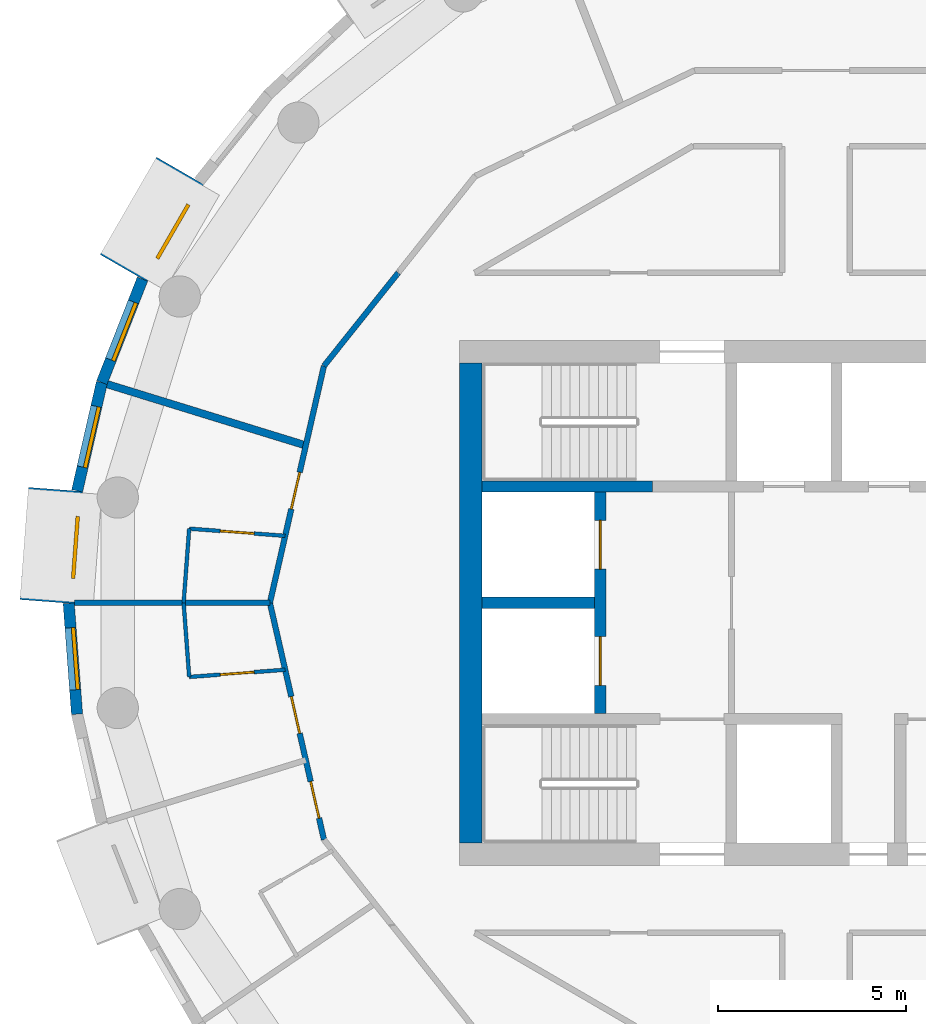
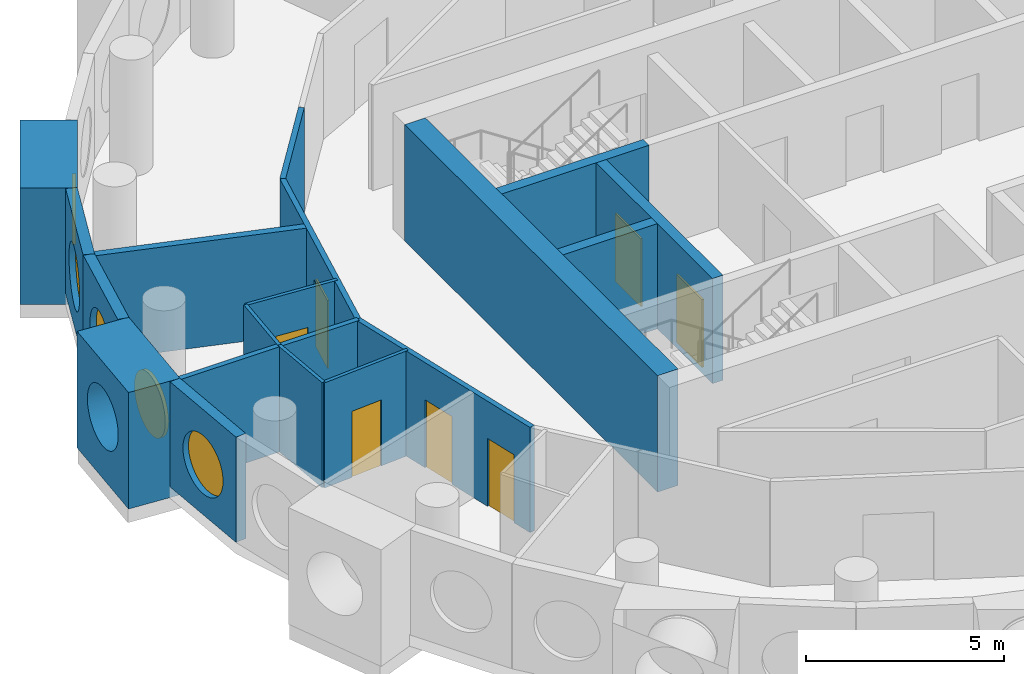
# One storey, part 6 of 12: 18 walls, 7 doors, 5 windows, 12 openings.
"""IFC4 building model written with IfcOpenShell, lengths in metres."""

from ifc_helpers import new_model, si_unit, direction, frame, frame_2d, origin, origin_2d, place, context, subcontext, project, spatial, rectangle, circle, extrude, material, layer, layer_set, type_object, element, fill, save


model = new_model("IFC4")

# Units and contexts
model_context = context("Model", 3, precision=1e-05, world=origin(), true_north=direction((0.0, 1.0)))
body_context = subcontext(model_context, "Body", "Model", "MODEL_VIEW")
ifc_project = project(units=[si_unit("LENGTHUNIT", "METRE"), si_unit("AREAUNIT", "SQUARE_METRE"), si_unit("VOLUMEUNIT", "CUBIC_METRE"), si_unit("PLANEANGLEUNIT", "RADIAN"), si_unit("MASSUNIT", "GRAM", prefix="KILO")], contexts=[model_context])

# Site, building, storey
site_placement = place(None, origin())
site = spatial("IfcSite", under=ifc_project, at=site_placement, CompositionType="ELEMENT")
building_placement = place(site_placement, origin())
building = spatial("IfcBuilding", under=site, at=building_placement, Name="Tracery Tower", CompositionType="ELEMENT")
storey_placement = place(building_placement, frame((0.0, 0.0, 234.60009765625)))
storey = spatial("IfcBuildingStorey", under=building, at=storey_placement, Name="L60", CompositionType="ELEMENT", Elevation=234.60009765625)

# Wall
ifc_material_1 = material(Name="Concrete C40/50", Category="concrete")
ifc_layer_1 = layer(ifc_material_1, 0.60009765625)
ifc_layer_set_1 = layer_set([ifc_layer_1], Name="Core wall 600 C40")
wall_type_1 = type_object("IfcWallType", Name="Core wall 600 C40", PredefinedType="SOLIDWALL", material=ifc_layer_set_1)
wall_1_placement = place(storey_placement, frame((-9.199951171875, -6.39990234375, 0.0), z_axis=(0.0, 0.0, 1.0), x_axis=(0.0, 1.0, 0.0)))
element("IfcWall", 1, at=wall_1_placement, inside=storey, type_object=wall_type_1, Name="L60 outer W", PredefinedType="SOLIDWALL", context=body_context, shape_type="SweptSolid", body=[
    extrude(rectangle(XDim=12.7998046875, YDim=0.60009765625, at=frame_2d((6.39990234375, 0.0))), origin(), (0.0, 0.0, 1.0), 3.599853515625),
])

# Wall, opening, window
ifc_material_2 = material(Name="Precast concrete C50/60", Category="concrete")
ifc_layer_2 = layer(ifc_material_2, 1.449951171875)
ifc_layer_set_2 = layer_set([ifc_layer_2], Name="Deep-set bay unit 3000 x 3600, slab edge 350")
wall_type_2 = type_object("IfcWallType", Name="Deep-set bay unit 3000 x 3600, slab edge 350", PredefinedType="ELEMENTEDWALL", material=ifc_layer_set_2)
wall_2_placement = place(storey_placement, frame((-16.952392578125, 11.51953125, -0.35009765625), z_axis=(0.0, 0.0, 1.0), x_axis=(-0.499990139034, -0.866031096941, 0.0)))
wall_2 = element("IfcWall", 2, at=wall_2_placement, inside=storey, type_object=wall_type_2, Name="Deep-set bay unit 18 at L60", PredefinedType="ELEMENTEDWALL", context=body_context, shape_type="SweptSolid", body=[
    extrude(rectangle(XDim=3.0, YDim=1.449951171875, at=frame_2d((1.5, 0.0))), origin(), (0.0, 0.0, 1.0), 3.60009765625),
])
opening_1_placement = place(wall_2_placement, frame((1.5, 0.0, 1.89990234375)))
opening_1 = element("IfcOpeningElement", 3, at=opening_1_placement, cuts=wall_2, Name="Opening WN1", PredefinedType="OPENING", context=body_context, shape_type="SweptSolid", body=[
    extrude(circle(Radius=0.9000244140625, at=origin_2d()), frame((0.0, 0.73486328125, 0.0), z_axis=(0.0, -1.0, 0.0), x_axis=(1.0, 0.0, 0.0)), (0.0, 0.0, 1.0), 1.469970703125),
])
ifc_material_3 = material(Name="Aluminium frame with tinted double glazing", Category="aluminium")
window_type = type_object("IfcWindowType", Name="Round window 1800", PartitioningType="SINGLE_PANEL", PredefinedType="WINDOW", material=ifc_material_3)
window_1_placement = place(opening_1_placement, origin())
window_1 = element("IfcWindow", 4, at=window_1_placement, inside=storey, type_object=window_type, Name="Round window 18 at L60", OverallHeight=1.800048828125, OverallWidth=1.800048828125, PartitioningType="SINGLE_PANEL", PredefinedType="WINDOW", context=body_context, shape_type="SweptSolid", body=[
    extrude(circle(Radius=0.9000244140625, at=origin_2d()), frame((0.0, 0.69482421875, 0.0), z_axis=(0.0, -1.0, 0.0), x_axis=(1.0, 0.0, 0.0)), (0.0, 0.0, 1.0), 0.10009765625),
])
fill(opening_1, window_1)

wall_3_placement = place(storey_placement, frame((-20.271728515625, 3.0234375, -0.35009765625), z_axis=(0.0, 0.0, 1.0), x_axis=(-0.074785902127, -0.997199613339, 0.0)))
wall_3 = element("IfcWall", 5, at=wall_3_placement, inside=storey, type_object=wall_type_2, Name="Deep-set bay unit 21 at L60", PredefinedType="ELEMENTEDWALL", context=body_context, shape_type="SweptSolid", body=[
    extrude(rectangle(XDim=3.0, YDim=1.449951171875, at=frame_2d((1.5, 0.0))), origin(), (0.0, 0.0, 1.0), 3.60009765625),
])
opening_2_placement = place(wall_3_placement, frame((1.5, 0.0, 1.89990234375)))
opening_2 = element("IfcOpeningElement", 6, at=opening_2_placement, cuts=wall_3, Name="Opening WN1", PredefinedType="OPENING", context=body_context, shape_type="SweptSolid", body=[
    extrude(circle(Radius=0.9000244140625, at=origin_2d()), frame((0.0, 0.73486328125, 0.0), z_axis=(0.0, -1.0, 0.0), x_axis=(1.0, 0.0, 0.0)), (0.0, 0.0, 1.0), 1.469970703125),
])
window_2_placement = place(opening_2_placement, origin())
window_2 = element("IfcWindow", 7, at=window_2_placement, inside=storey, type_object=window_type, Name="Round window 21 at L60", OverallHeight=1.800048828125, OverallWidth=1.800048828125, PartitioningType="SINGLE_PANEL", PredefinedType="WINDOW", context=body_context, shape_type="SweptSolid", body=[
    extrude(circle(Radius=0.9000244140625, at=origin_2d()), frame((0.0, 0.69482421875, 0.0), z_axis=(0.0, -1.0, 0.0), x_axis=(1.0, 0.0, 0.0)), (0.0, 0.0, 1.0), 0.10009765625),
])
fill(opening_2, window_2)

ifc_material_4 = material(Name="Precast concrete C50/60", Category="concrete")
ifc_layer_3 = layer(ifc_material_4, 0.300048828125)
ifc_layer_set_3 = layer_set([ifc_layer_3], Name="Facade panel 3000 x 3250")
wall_type_3 = type_object("IfcWallType", Name="Facade panel 3000 x 3250", PredefinedType="SOLIDWALL", material=ifc_layer_set_3)
wall_4_placement = place(storey_placement, frame((-17.95458984375, 8.62939453125, 0.0), z_axis=(0.0, 0.0, 1.0), x_axis=(-0.36530043032, -0.930889679612, 0.0)))
wall_4 = element("IfcWall", 8, at=wall_4_placement, inside=storey, type_object=wall_type_3, Name="Facade panel 19 at L60", PredefinedType="SOLIDWALL", context=body_context, shape_type="SweptSolid", body=[
    extrude(rectangle(XDim=2.9619140625, YDim=0.300048828125, at=frame_2d((1.48095703125, 0.0))), origin(), (0.0, 0.0, 1.0), 3.25),
])
opening_3_placement = place(wall_4_placement, frame((1.48095703125, 0.0, 1.5498046875)))
opening_3 = element("IfcOpeningElement", 9, at=opening_3_placement, cuts=wall_4, Name="Opening WN1", PredefinedType="OPENING", context=body_context, shape_type="SweptSolid", body=[
    extrude(circle(Radius=0.9000244140625, at=origin_2d()), frame((0.0, 0.159912109375, 0.0), z_axis=(0.0, -1.0, 0.0), x_axis=(1.0, 0.0, 0.0)), (0.0, 0.0, 1.0), 0.320068359375),
])
window_3_placement = place(opening_3_placement, origin())
window_3 = element("IfcWindow", 10, at=window_3_placement, inside=storey, type_object=window_type, Name="Round window 19 at L60", OverallHeight=1.800048828125, OverallWidth=1.800048828125, PartitioningType="SINGLE_PANEL", PredefinedType="WINDOW", context=body_context, shape_type="SweptSolid", body=[
    extrude(circle(Radius=0.9000244140625, at=origin_2d()), frame((0.0, 0.1201171875, 0.0), z_axis=(0.0, -1.0, 0.0), x_axis=(1.0, 0.0, 0.0)), (0.0, 0.0, 1.0), 0.10009765625),
])
fill(opening_3, window_3)

wall_5_placement = place(storey_placement, frame((-19.03662109375, 5.8720703125, 0.0), z_axis=(0.0, 0.0, 1.0), x_axis=(-0.222529389789, -0.974925982155, 0.0)))
wall_5 = element("IfcWall", 11, at=wall_5_placement, inside=storey, type_object=wall_type_3, Name="Facade panel 20 at L60", PredefinedType="SOLIDWALL", context=body_context, shape_type="SweptSolid", body=[
    extrude(rectangle(XDim=2.962158203125, YDim=0.300048828125, at=frame_2d((1.48095703125, 0.0))), origin(), (0.0, 0.0, 1.0), 3.25),
])
opening_4_placement = place(wall_5_placement, frame((1.48095703125, 0.0, 1.5498046875)))
opening_4 = element("IfcOpeningElement", 12, at=opening_4_placement, cuts=wall_5, Name="Opening WN1", PredefinedType="OPENING", context=body_context, shape_type="SweptSolid", body=[
    extrude(circle(Radius=0.9000244140625, at=origin_2d()), frame((0.0, 0.159912109375, 0.0), z_axis=(0.0, -1.0, 0.0), x_axis=(1.0, 0.0, 0.0)), (0.0, 0.0, 1.0), 0.320068359375),
])
window_4_placement = place(opening_4_placement, origin())
window_4 = element("IfcWindow", 13, at=window_4_placement, inside=storey, type_object=window_type, Name="Round window 20 at L60", OverallHeight=1.800048828125, OverallWidth=1.800048828125, PartitioningType="SINGLE_PANEL", PredefinedType="WINDOW", context=body_context, shape_type="SweptSolid", body=[
    extrude(circle(Radius=0.9000244140625, at=origin_2d()), frame((0.0, 0.1201171875, 0.0), z_axis=(0.0, -1.0, 0.0), x_axis=(1.0, 0.0, 0.0)), (0.0, 0.0, 1.0), 0.10009765625),
])
fill(opening_4, window_4)

wall_6_placement = place(storey_placement, frame((-19.920654296875, -0.01513671875, 0.0), z_axis=(0.0, 0.0, 1.0), x_axis=(0.07474897196, -0.997202382263, 0.0)))
wall_6 = element("IfcWall", 14, at=wall_6_placement, inside=storey, type_object=wall_type_3, Name="Facade panel 22 at L60", PredefinedType="SOLIDWALL", context=body_context, shape_type="SweptSolid", body=[
    extrude(rectangle(XDim=2.96240234375, YDim=0.300048828125, at=frame_2d((1.481201171875, 0.0))), origin(), (0.0, 0.0, 1.0), 3.25),
])
opening_5_placement = place(wall_6_placement, frame((1.48095703125, 0.0, 1.5498046875)))
opening_5 = element("IfcOpeningElement", 15, at=opening_5_placement, cuts=wall_6, Name="Opening WN1", PredefinedType="OPENING", context=body_context, shape_type="SweptSolid", body=[
    extrude(circle(Radius=0.9000244140625, at=origin_2d()), frame((0.0, 0.159912109375, 0.0), z_axis=(0.0, -1.0, 0.0), x_axis=(1.0, 0.0, 0.0)), (0.0, 0.0, 1.0), 0.320068359375),
])
window_5_placement = place(opening_5_placement, origin())
window_5 = element("IfcWindow", 16, at=window_5_placement, inside=storey, type_object=window_type, Name="Round window 22 at L60", OverallHeight=1.800048828125, OverallWidth=1.800048828125, PartitioningType="SINGLE_PANEL", PredefinedType="WINDOW", context=body_context, shape_type="SweptSolid", body=[
    extrude(circle(Radius=0.9000244140625, at=origin_2d()), frame((0.0, 0.1201171875, 0.0), z_axis=(0.0, -1.0, 0.0), x_axis=(1.0, 0.0, 0.0)), (0.0, 0.0, 1.0), 0.10009765625),
])
fill(opening_5, window_5)

# Wall, opening, door
ifc_material_5 = material(Name="Plasterboard on steel studs", Category="steel")
ifc_layer_4 = layer(ifc_material_5, 0.10009765625)
ifc_layer_set_4 = layer_set([ifc_layer_4], Name="Partition 100 wet wall")
wall_type_4 = type_object("IfcWallType", Name="Partition 100 wet wall", PredefinedType="PARTITIONING", material=ifc_layer_set_4)
wall_7_placement = place(storey_placement, frame((-16.7080078125, 1.97705078125, 0.0), z_axis=(0.0, 0.0, 1.0), x_axis=(0.997193275785, -0.074870359477, 0.0)))
wall_7 = element("IfcWall", 17, at=wall_7_placement, inside=storey, type_object=wall_type_4, Name="Wet wall RC1-060", PredefinedType="PARTITIONING", context=body_context, shape_type="SweptSolid", body=[
    extrude(rectangle(XDim=2.56640625, YDim=0.10009765625, at=frame_2d((1.283203125, 0.0))), origin(), (0.0, 0.0, 1.0), 3.25),
])
opening_6_placement = place(wall_7_placement, frame((0.833251953125, 0.0, 0.0)))
opening_6 = element("IfcOpeningElement", 18, at=opening_6_placement, cuts=wall_7, Name="Opening RC1-14", PredefinedType="OPENING", context=body_context, shape_type="SweptSolid", body=[
    extrude(rectangle(XDim=0.89990234375, YDim=2.0400390625, at=frame_2d((0.449951171875, 1.02001953125))), frame((0.0, 0.050048828125, 0.0), z_axis=(0.0, -1.0, 0.0), x_axis=(1.0, 0.0, 0.0)), (0.0, 0.0, 1.0), 0.10009765625),
])
ifc_material_6 = material(Name="Timber door leaf", Category="wood")
door_type_1 = type_object("IfcDoorType", Name="Door en-suite 900", OperationType="NOTDEFINED", PredefinedType="DOOR", material=ifc_material_6)
door_1_placement = place(opening_6_placement, origin())
door_1 = element("IfcDoor", 19, at=door_1_placement, inside=storey, type_object=door_type_1, Name="En-suite door RC1-14", OperationType="SINGLE_SWING_LEFT", OverallHeight=2.0400390625, OverallWidth=0.89990234375, PredefinedType="DOOR", context=body_context, shape_type="SweptSolid", body=[
    extrude(rectangle(XDim=0.89990234375, YDim=2.0400390625, at=frame_2d((0.449951171875, 1.02001953125))), frame((0.0, 0.02490234375, 0.0), z_axis=(0.0, -1.0, 0.0), x_axis=(1.0, 0.0, 0.0)), (0.0, 0.0, 1.0), 0.050048828125),
])
fill(opening_6, door_1)

# Walls
for number, where, z_axis, x_axis, name in (
    (20, (-16.85595703125, 0.0, 0.0), (0.0, 0.0, 1.0), (0.074624634103, 0.997211694669, 0.0), "Wet wall RC1-061"),
    (21, (-16.85595703125, 0.0, 0.0), (0.0, 0.0, 1.0), (0.074624634103, -0.997211694669, 0.0), "Wet wall RC1-063"),
):
    element("IfcWall", number, at=place(storey_placement, frame(where, z_axis=z_axis, x_axis=x_axis)), inside=storey, type_object=wall_type_4, Name=name, PredefinedType="PARTITIONING", context=body_context, shape_type="SweptSolid", body=[
        extrude(rectangle(XDim=1.982666015625, YDim=0.10009765625, at=frame_2d((0.9912109375, 0.0))), origin(), (0.0, 0.0, 1.0), 3.25),
    ])

# Wall, opening, door
wall_8_placement = place(storey_placement, frame((-16.7080078125, -1.97705078125, 0.0), z_axis=(0.0, 0.0, 1.0), x_axis=(0.997193275785, 0.074870359477, 0.0)))
wall_8 = element("IfcWall", 22, at=wall_8_placement, inside=storey, type_object=wall_type_4, Name="Wet wall RC1-064", PredefinedType="PARTITIONING", context=body_context, shape_type="SweptSolid", body=[
    extrude(rectangle(XDim=2.56640625, YDim=0.10009765625, at=frame_2d((1.283203125, 0.0))), origin(), (0.0, 0.0, 1.0), 3.25),
])
opening_7_placement = place(wall_8_placement, frame((0.8330078125, 0.0, 0.0)))
opening_7 = element("IfcOpeningElement", 23, at=opening_7_placement, cuts=wall_8, Name="Opening RC1-16", PredefinedType="OPENING", context=body_context, shape_type="SweptSolid", body=[
    extrude(rectangle(XDim=0.89990234375, YDim=2.0400390625, at=frame_2d((0.449951171875, 1.02001953125))), frame((0.0, 0.050048828125, 0.0), z_axis=(0.0, -1.0, 0.0), x_axis=(1.0, 0.0, 0.0)), (0.0, 0.0, 1.0), 0.10009765625),
])
door_2_placement = place(opening_7_placement, origin())
door_2 = element("IfcDoor", 24, at=door_2_placement, inside=storey, type_object=door_type_1, Name="En-suite door RC1-16", OperationType="SINGLE_SWING_LEFT", OverallHeight=2.0400390625, OverallWidth=0.89990234375, PredefinedType="DOOR", context=body_context, shape_type="SweptSolid", body=[
    extrude(rectangle(XDim=0.89990234375, YDim=2.0400390625, at=frame_2d((0.449951171875, 1.02001953125))), frame((0.0, 0.02490234375, 0.0), z_axis=(0.0, -1.0, 0.0), x_axis=(1.0, 0.0, 0.0)), (0.0, 0.0, 1.0), 0.050048828125),
])
fill(opening_7, door_2)

# Wall
ifc_material_7 = material(Name="Plasterboard on steel studs", Category="steel")
ifc_layer_5 = layer(ifc_material_7, 0.14990234375)
ifc_layer_set_5 = layer_set([ifc_layer_5], Name="Partition 150 acoustic unit wall")
wall_type_5 = type_object("IfcWallType", Name="Partition 150 acoustic unit wall", PredefinedType="PARTITIONING", material=ifc_layer_set_5)
wall_9_placement = place(storey_placement, frame((-19.77099609375, 0.0, 0.0), z_axis=(0.0, 0.0, 1.0), x_axis=(1.0, 0.0, 0.0)))
element("IfcWall", 25, at=wall_9_placement, inside=storey, type_object=wall_type_5, Name="Unit wall RC1-062", PredefinedType="PARTITIONING", context=body_context, shape_type="SweptSolid", body=[
    extrude(rectangle(XDim=5.214111328125, YDim=0.14990234375, at=frame_2d((2.60693359375, 0.0))), origin(), (0.0, 0.0, 1.0), 3.25),
])

# Wall, opening, door
ifc_material_8 = material(Name="Plasterboard on steel studs", Category="steel")
ifc_layer_6 = layer(ifc_material_8, 0.14990234375)
ifc_layer_set_6 = layer_set([ifc_layer_6], Name="Partition 150 corridor wall")
wall_type_6 = type_object("IfcWallType", Name="Partition 150 corridor wall", PredefinedType="PARTITIONING", material=ifc_layer_set_6)
wall_10_placement = place(storey_placement, frame((-14.556640625, 0.0, 0.0), z_axis=(0.0, 0.0, 1.0), x_axis=(0.222533159771, 0.974925121639, 0.0)))
wall_10 = element("IfcWall", 26, at=wall_10_placement, inside=storey, type_object=wall_type_6, Name="Corridor wall RC1-033", PredefinedType="PARTITIONING", context=body_context, shape_type="SweptSolid", body=[
    extrude(rectangle(XDim=6.478271484375, YDim=0.14990234375, at=frame_2d((3.2392578125, 0.0))), origin(), (0.0, 0.0, 1.0), 3.25),
])
opening_8_placement = place(wall_10_placement, frame((2.56689453125, 0.0, 0.0)))
opening_8 = element("IfcOpeningElement", 27, at=opening_8_placement, cuts=wall_10, Name="Opening RC1-15", PredefinedType="OPENING", context=body_context, shape_type="SweptSolid", body=[
    extrude(rectangle(XDim=1.0, YDim=2.10009765625, at=frame_2d((0.5, 1.050048828125))), frame((0.0, 0.074951171875, 0.0), z_axis=(0.0, -1.0, 0.0), x_axis=(1.0, 0.0, 0.0)), (0.0, 0.0, 1.0), 0.14990234375),
])
ifc_material_9 = material(Name="Timber door leaf", Category="wood")
door_type_2 = type_object("IfcDoorType", Name="Door unit entrance 1000", OperationType="NOTDEFINED", PredefinedType="DOOR", material=ifc_material_9)
door_3_placement = place(opening_8_placement, origin())
door_3 = element("IfcDoor", 28, at=door_3_placement, inside=storey, type_object=door_type_2, Name="Unit entrance door RC1-15", OperationType="SINGLE_SWING_LEFT", OverallHeight=2.10009765625, OverallWidth=1.0, PredefinedType="DOOR", context=body_context, shape_type="SweptSolid", body=[
    extrude(rectangle(XDim=1.0, YDim=2.10009765625, at=frame_2d((0.5, 1.050048828125))), frame((0.0, 0.02490234375, 0.0), z_axis=(0.0, -1.0, 0.0), x_axis=(1.0, 0.0, 0.0)), (0.0, 0.0, 1.0), 0.050048828125),
])
fill(opening_8, door_3)

# Wall
wall_11_placement = place(storey_placement, frame((-13.114990234375, 6.31591796875, 0.0), z_axis=(0.0, 0.0, 1.0), x_axis=(0.623476099415, 0.781842409606, 0.0)))
element("IfcWall", 29, at=wall_11_placement, inside=storey, type_object=wall_type_6, Name="Corridor wall RC1-034", PredefinedType="PARTITIONING", context=body_context, shape_type="SweptSolid", body=[
    extrude(rectangle(XDim=3.17724609375, YDim=0.14990234375, at=frame_2d((1.588623046875, 0.0))), origin(), (0.0, 0.0, 1.0), 3.25),
])

# Wall, openings, doors
wall_12_placement = place(storey_placement, frame((-14.556640625, 0.0, 0.0), z_axis=(0.0, 0.0, 1.0), x_axis=(0.222568978642, -0.97491694505, 0.0)))
wall_12 = element("IfcWall", 30, at=wall_12_placement, inside=storey, type_object=wall_type_6, Name="Corridor wall RC1-035", PredefinedType="PARTITIONING", context=body_context, shape_type="SweptSolid", body=[
    extrude(rectangle(XDim=6.478515625, YDim=0.14990234375, at=frame_2d((3.2392578125, 0.0))), origin(), (0.0, 0.0, 1.0), 3.25),
])
opening_9_placement = place(wall_12_placement, frame((2.567138671875, 0.0, 0.0)))
opening_9 = element("IfcOpeningElement", 31, at=opening_9_placement, cuts=wall_12, Name="Opening RC1-17", PredefinedType="OPENING", context=body_context, shape_type="SweptSolid", body=[
    extrude(rectangle(XDim=1.0, YDim=2.10009765625, at=frame_2d((0.5, 1.050048828125))), frame((0.0, 0.074951171875, 0.0), z_axis=(0.0, -1.0, 0.0), x_axis=(1.0, 0.0, 0.0)), (0.0, 0.0, 1.0), 0.14990234375),
])
opening_10_placement = place(wall_12_placement, frame((4.888427734375, 0.0, 0.0)))
opening_10 = element("IfcOpeningElement", 32, at=opening_10_placement, cuts=wall_12, Name="Opening RC1-19", PredefinedType="OPENING", context=body_context, shape_type="SweptSolid", body=[
    extrude(rectangle(XDim=1.0, YDim=2.10009765625, at=frame_2d((0.5, 1.050048828125))), frame((0.0, 0.074951171875, 0.0), z_axis=(0.0, -1.0, 0.0), x_axis=(1.0, 0.0, 0.0)), (0.0, 0.0, 1.0), 0.14990234375),
])
door_4_placement = place(opening_9_placement, origin())
door_4 = element("IfcDoor", 33, at=door_4_placement, inside=storey, type_object=door_type_2, Name="Unit entrance door RC1-17", OperationType="SINGLE_SWING_LEFT", OverallHeight=2.10009765625, OverallWidth=1.0, PredefinedType="DOOR", context=body_context, shape_type="SweptSolid", body=[
    extrude(rectangle(XDim=1.0, YDim=2.10009765625, at=frame_2d((0.5, 1.050048828125))), frame((0.0, 0.02490234375, 0.0), z_axis=(0.0, -1.0, 0.0), x_axis=(1.0, 0.0, 0.0)), (0.0, 0.0, 1.0), 0.050048828125),
])
fill(opening_9, door_4)
door_5_placement = place(opening_10_placement, origin())
door_5 = element("IfcDoor", 34, at=door_5_placement, inside=storey, type_object=door_type_2, Name="Unit entrance door RC1-19", OperationType="SINGLE_SWING_RIGHT", OverallHeight=2.10009765625, OverallWidth=1.0, PredefinedType="DOOR", context=body_context, shape_type="SweptSolid", body=[
    extrude(rectangle(XDim=1.0, YDim=2.10009765625, at=frame_2d((0.5, 1.050048828125))), frame((0.0, 0.02490234375, 0.0), z_axis=(0.0, -1.0, 0.0), x_axis=(1.0, 0.0, 0.0)), (0.0, 0.0, 1.0), 0.050048828125),
])
fill(opening_10, door_5)

# Walls
ifc_material_10 = material(Name="Plasterboard on steel studs", Category="steel")
ifc_layer_7 = layer(ifc_material_10, 0.199951171875)
ifc_layer_set_7 = layer_set([ifc_layer_7], Name="Partition 200 compartment wall")
wall_type_7 = type_object("IfcWallType", Name="Partition 200 compartment wall", PredefinedType="PARTITIONING", material=ifc_layer_set_7)
wall_13_placement = place(storey_placement, frame((-18.89306640625, 5.827880859375, 0.0), z_axis=(0.0, 0.0, 1.0), x_axis=(0.955580602693, -0.294729896274, 0.0)))
element("IfcWall", 35, at=wall_13_placement, inside=storey, type_object=wall_type_7, Name="Compartment wall RC1-059", PredefinedType="PARTITIONING", context=body_context, shape_type="SweptSolid", body=[
    extrude(rectangle(XDim=5.5400390625, YDim=0.199951171875, at=frame_2d((2.77001953125, 0.0))), origin(), (0.0, 0.0, 1.0), 3.25),
])
ifc_material_11 = material(Name="Concrete C40/50", Category="concrete")
ifc_layer_8 = layer(ifc_material_11, 0.300048828125)
ifc_layer_set_8 = layer_set([ifc_layer_8], Name="Shaft wall 300 C40")
wall_type_8 = type_object("IfcWallType", Name="Shaft wall 300 C40", PredefinedType="SOLIDWALL", material=ifc_layer_set_8)
wall_14_placement = place(storey_placement, frame((-8.89990234375, 0.0, 0.0), z_axis=(0.0, 0.0, 1.0), x_axis=(1.0, 0.0, 0.0)))
element("IfcWall", 36, at=wall_14_placement, inside=storey, type_object=wall_type_8, Name="L60 FF split", PredefinedType="SOLIDWALL", context=body_context, shape_type="SweptSolid", body=[
    extrude(rectangle(XDim=3.0, YDim=0.300048828125, at=frame_2d((1.5, 0.0))), origin(), (0.0, 0.0, 1.0), 3.25),
])

# Wall, openings, doors
wall_15_placement = place(storey_placement, frame((-5.75, -2.949951171875, 0.0), z_axis=(0.0, 0.0, 1.0), x_axis=(0.0, 1.0, 0.0)))
wall_15 = element("IfcWall", 37, at=wall_15_placement, inside=storey, type_object=wall_type_8, Name="L60 FF doors", PredefinedType="SOLIDWALL", context=body_context, shape_type="SweptSolid", body=[
    extrude(rectangle(XDim=5.89990234375, YDim=0.300048828125, at=frame_2d((2.949951171875, 0.0))), origin(), (0.0, 0.0, 1.0), 3.25),
])
opening_11_placement = place(wall_15_placement, frame((0.75, 0.0, 0.0)))
opening_11 = element("IfcOpeningElement", 38, at=opening_11_placement, cuts=wall_15, Name="Opening KD54", PredefinedType="OPENING", context=body_context, shape_type="SweptSolid", body=[
    extrude(rectangle(XDim=1.300048828125, YDim=2.10009765625, at=frame_2d((0.64990234375, 1.050048828125))), frame((0.0, 0.14990234375, 0.0), z_axis=(0.0, -1.0, 0.0), x_axis=(1.0, 0.0, 0.0)), (0.0, 0.0, 1.0), 0.300048828125),
])
opening_12_placement = place(wall_15_placement, frame((3.85009765625, 0.0, 0.0)))
opening_12 = element("IfcOpeningElement", 39, at=opening_12_placement, cuts=wall_15, Name="Opening KD55", PredefinedType="OPENING", context=body_context, shape_type="SweptSolid", body=[
    extrude(rectangle(XDim=1.300048828125, YDim=2.10009765625, at=frame_2d((0.64990234375, 1.050048828125))), frame((0.0, 0.14990234375, 0.0), z_axis=(0.0, -1.0, 0.0), x_axis=(1.0, 0.0, 0.0)), (0.0, 0.0, 1.0), 0.300048828125),
])
ifc_material_12 = material(Name="Steel fire door", Category="steel")
door_type_3 = type_object("IfcDoorType", Name="Landing door FF 1300", OperationType="NOTDEFINED", PredefinedType="DOOR", material=ifc_material_12)
door_6_placement = place(opening_11_placement, origin())
door_6 = element("IfcDoor", 40, at=door_6_placement, inside=storey, type_object=door_type_3, Name="Landing door FF1", OperationType="SLIDING_TO_LEFT", OverallHeight=2.10009765625, OverallWidth=1.300048828125, PredefinedType="DOOR", context=body_context, shape_type="SweptSolid", body=[
    extrude(rectangle(XDim=1.300048828125, YDim=2.10009765625, at=frame_2d((0.64990234375, 1.050048828125))), frame((0.0, 0.02490234375, 0.0), z_axis=(0.0, -1.0, 0.0), x_axis=(1.0, 0.0, 0.0)), (0.0, 0.0, 1.0), 0.050048828125),
])
fill(opening_11, door_6)
door_7_placement = place(opening_12_placement, origin())
door_7 = element("IfcDoor", 41, at=door_7_placement, inside=storey, type_object=door_type_3, Name="Landing door FF2", OperationType="SLIDING_TO_RIGHT", OverallHeight=2.10009765625, OverallWidth=1.300048828125, PredefinedType="DOOR", context=body_context, shape_type="SweptSolid", body=[
    extrude(rectangle(XDim=1.300048828125, YDim=2.10009765625, at=frame_2d((0.64990234375, 1.050048828125))), frame((0.0, 0.02490234375, 0.0), z_axis=(0.0, -1.0, 0.0), x_axis=(1.0, 0.0, 0.0)), (0.0, 0.0, 1.0), 0.050048828125),
])
fill(opening_12, door_7)

# Wall
ifc_material_13 = material(Name="Concrete C40/50", Category="concrete")
ifc_layer_9 = layer(ifc_material_13, 0.300048828125)
ifc_layer_set_9 = layer_set([ifc_layer_9], Name="Stair wall 300 C40")
wall_type_9 = type_object("IfcWallType", Name="Stair wall 300 C40", PredefinedType="SOLIDWALL", material=ifc_layer_set_9)
wall_16_placement = place(storey_placement, frame((-8.89990234375, 3.10009765625, 0.0), z_axis=(0.0, 0.0, 1.0), x_axis=(1.0, 0.0, 0.0)))
element("IfcWall", 42, at=wall_16_placement, inside=storey, type_object=wall_type_9, Name="L60 row N W", PredefinedType="SOLIDWALL", context=body_context, shape_type="SweptSolid", body=[
    extrude(rectangle(XDim=4.5498046875, YDim=0.300048828125, at=frame_2d((2.27490234375, 0.0))), origin(), (0.0, 0.0, 1.0), 3.25),
])

save(model, "model.ifc")
